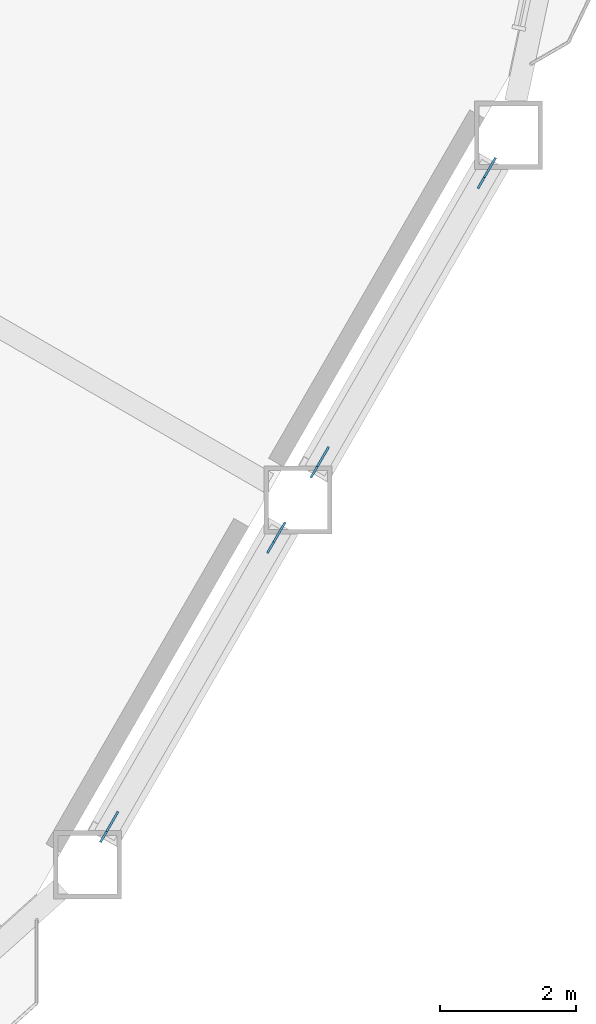
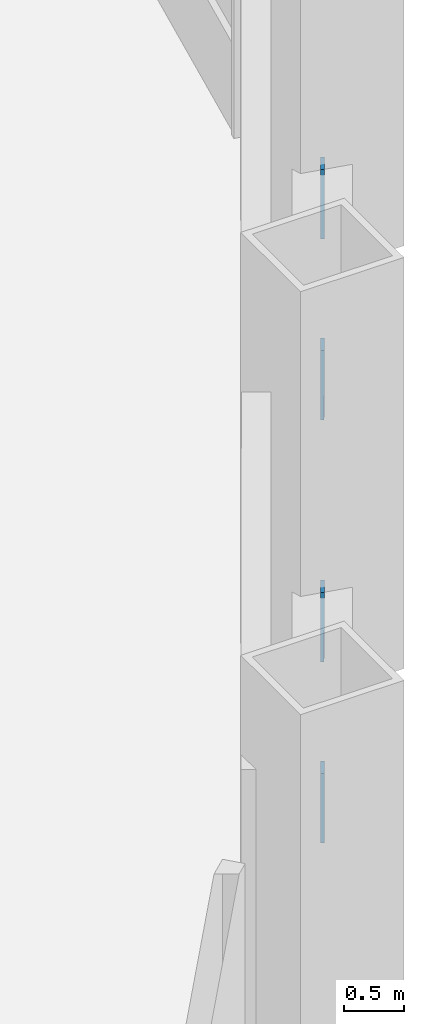
# One storey, part 14 of 20: 4 discrete accessories.
"""IFC4 building model written with IfcOpenShell, lengths in metres."""

import ifcopenshell
import ifcopenshell.guid

model = None  # the IFC model being written
_history = None  # IfcOwnerHistory: only IFC2X3 demands one
_inside = {}  # id of a spatial element -> (the spatial element, [elements in it])
_under = {}  # id of a project, library or spatial element -> (it, [spatial elements below it])
_declared = {}  # id of a project -> (the project, [libraries it declares])
_typed = {}  # id of a type object -> (the type object, [elements of that type])
_made_of = {}  # id of a material, layer set ... -> (it, [elements and type objects made of it])


def new_model(schema):
    """Start an empty IFC model of exactly this schema.

    Asked for "IFC4X3", IfcOpenShell would pick the latest addendum, in which some entities
    have other attributes; the version numbers below select the first issue.
    IFC2X3 requires an IfcOwnerHistory on every rooted entity: one is made here for all.
    """
    global model, _history
    if schema == "IFC4X3":
        model = ifcopenshell.file(schema_version=(4, 3, 0, 0))
    else:
        model = ifcopenshell.file(schema=schema)
    _inside.clear()
    _under.clear()
    _declared.clear()
    _typed.clear()
    _made_of.clear()
    _history = None
    if model.schema == "IFC2X3":
        org = make("IfcOrganization", Name="unknown")
        user = make(
            "IfcPersonAndOrganization",
            ThePerson=make("IfcPerson", FamilyName="unknown"),
            TheOrganization=org,
        )
        app = make(
            "IfcApplication",
            ApplicationDeveloper=org,
            Version="unknown",
            ApplicationFullName="unknown",
            ApplicationIdentifier="unknown",
        )
        _history = make(
            "IfcOwnerHistory",
            OwningUser=user,
            OwningApplication=app,
            ChangeAction="ADDED",
            CreationDate=0,
        )
    return model


def make(cls, **values):
    """One entity of the class cls with the attributes given. An attribute that is None is left unset."""
    return model.create_entity(
        cls, **{name: value for name, value in values.items() if value is not None}
    )


def rooted(cls, **values):
    """An entity with a GlobalId (a new one), such as an element, a storey or a relation."""
    return make(cls, GlobalId=ifcopenshell.guid.new(), OwnerHistory=_history, **values)


def si_unit(unit_type, name, prefix=None):
    """IfcSIUnit, for example si_unit("LENGTHUNIT", "METRE", prefix="MILLI")."""
    return make("IfcSIUnit", UnitType=unit_type, Prefix=prefix, Name=name)


def assignment(units):
    """IfcUnitAssignment: the units of a project."""
    return None if units is None else make("IfcUnitAssignment", Units=units)


def point(xyz):
    """IfcCartesianPoint."""
    return None if xyz is None else make("IfcCartesianPoint", Coordinates=xyz)


def direction(xyz):
    """IfcDirection."""
    return None if xyz is None else make("IfcDirection", DirectionRatios=xyz)


def frame(location, z_axis=None, x_axis=None):
    """IfcAxis2Placement3D, a coordinate frame: its origin and axes. An axis left out is left unset."""
    return make(
        "IfcAxis2Placement3D",
        Location=point(location),
        Axis=direction(z_axis),
        RefDirection=direction(x_axis),
    )


def frame_2d(location, x_axis=None):
    """IfcAxis2Placement2D, a coordinate frame in the plane: its origin and x axis."""
    return make(
        "IfcAxis2Placement2D", Location=point(location), RefDirection=direction(x_axis)
    )


def origin():
    """The frame at (0, 0, 0) with its axes left unset."""
    return frame((0.0, 0.0, 0.0))


def origin_2d():
    """The frame at (0, 0) in the plane with its x axis left unset."""
    return frame_2d((0.0, 0.0))


def place(relative_to, where):
    """IfcLocalPlacement: puts the frame where relative to a parent placement (None: the world)."""
    return make(
        "IfcLocalPlacement", PlacementRelTo=relative_to, RelativePlacement=where
    )


def context(
    kind, dimensions, precision=None, world=None, true_north=None, identifier=None
):
    """IfcGeometricRepresentationContext, for example the 3D "Model" context."""
    return make(
        "IfcGeometricRepresentationContext",
        ContextIdentifier=identifier,
        ContextType=kind,
        CoordinateSpaceDimension=dimensions,
        Precision=precision,
        WorldCoordinateSystem=world,
        TrueNorth=true_north,
    )


def subcontext(parent, identifier, kind, view, scale=None):
    """IfcGeometricRepresentationSubContext, for example "Body" below "Model"."""
    return make(
        "IfcGeometricRepresentationSubContext",
        ContextIdentifier=identifier,
        ContextType=kind,
        ParentContext=parent,
        TargetScale=scale,
        TargetView=view,
    )


def project(units=None, contexts=None):
    """IfcProject with its units and contexts."""
    return rooted(
        "IfcProject",
        Name="project",
        RepresentationContexts=contexts,
        UnitsInContext=assignment(units),
    )


def spatial(cls, under=None, at=None, **own):
    """A site, building, storey or space (cls), placed at a placement, below another one or the project."""
    s = rooted(cls, ObjectPlacement=at, **own)
    if under is not None:
        _under.setdefault(under.id(), (under, []))[1].append(s)
    return s


def profile(cls, at=None, kind="AREA", **sizes):
    """A parametric profile (cls). Its sizes go by their IFC names, for example OverallWidth=200.0."""
    return make(cls, ProfileType=kind, Position=at, **sizes)


def rectangle(**sizes):
    """IfcRectangleProfileDef."""
    return profile("IfcRectangleProfileDef", **sizes)


def extrude(swept, where, along, depth):
    """IfcExtrudedAreaSolid: the profile swept, set in the frame where, extruded along a direction by depth."""
    return make(
        "IfcExtrudedAreaSolid",
        SweptArea=swept,
        Position=where,
        ExtrudedDirection=direction(along),
        Depth=depth,
    )


def shape(context_of_items, identifier, shape_type, items):
    """IfcShapeRepresentation: the items that make up one representation, for example the "Body"."""
    return make(
        "IfcShapeRepresentation",
        ContextOfItems=context_of_items,
        RepresentationIdentifier=identifier,
        RepresentationType=shape_type,
        Items=items,
    )


def material(Name=None, Category=None):
    """IfcMaterial."""
    return make("IfcMaterial", Name=Name, Category=Category)


def material_profile(
    of_material, cross_section, Name=None, Category=None, Priority=None
):
    """IfcMaterialProfile: a cross section and its material."""
    return make(
        "IfcMaterialProfile",
        Name=Name,
        Material=of_material,
        Profile=cross_section,
        Priority=Priority,
        Category=Category,
    )


def profile_set(profiles, Name=None, composite=None):
    """IfcMaterialProfileSet."""
    return make(
        "IfcMaterialProfileSet",
        Name=Name,
        MaterialProfiles=profiles,
        CompositeProfile=composite,
    )


def made_of(thing, what):
    """Note that an element or type object is made of a material, layer set ...; save() writes the relation."""
    if what is not None:
        _made_of.setdefault(what.id(), (what, []))[1].append(thing)
    return thing


def type_object(cls, material=None, **own):
    """A type object (cls), such as IfcWallType, which elements share."""
    return made_of(rooted(cls, **own), material)


def element(
    cls,
    number,
    at=None,
    inside=None,
    cuts=None,
    type_object=None,
    material=None,
    context=None,
    identifier="Body",
    shape_type=None,
    held_by="IfcProductDefinitionShape",
    body=None,
    shapes=None,
    **own,
):
    """One element of the class cls, such as IfcWall. Its Tag is "e" and its number.

    at: its placement. inside: the storey or other place that contains it. cuts: it is an
    opening in that element (IfcRelVoidsElement). A single representation is given by context,
    identifier, shape_type and body (its items); several are given by shapes. held_by: the class
    of the entity that holds the representations. save() writes the other relations.
    """
    e = rooted(cls, Tag="e%d" % number, ObjectPlacement=at, **own)
    if body is not None:
        shapes = [shape(context, identifier, shape_type, body)]
    if shapes is not None:
        e.Representation = make(held_by, Representations=shapes)
    if inside is not None:
        _inside.setdefault(inside.id(), (inside, []))[1].append(e)
    if cuts is not None:
        rooted(
            "IfcRelVoidsElement", RelatingBuildingElement=cuts, RelatedOpeningElement=e
        )
    if type_object is not None:
        _typed.setdefault(type_object.id(), (type_object, []))[1].append(e)
    return made_of(e, material)


def aggregate(whole, parts):
    """IfcRelAggregates: a whole, such as a stair, and the parts it consists of."""
    return rooted("IfcRelAggregates", RelatingObject=whole, RelatedObjects=parts)


def save(model, path):
    """Write the relations noted so far, then the file.

    IfcRelAggregates (storeys below a building ...), IfcRelContainedInSpatialStructure (elements
    in a storey), IfcRelDefinesByType, IfcRelAssociatesMaterial and IfcRelDeclares: one each for
    every whole, place, type object, material and project.
    """
    for whole, parts in _under.values():
        aggregate(whole, parts)
    for where, things in _inside.values():
        rooted(
            "IfcRelContainedInSpatialStructure",
            RelatedElements=things,
            RelatingStructure=where,
        )
    for kind, things in _typed.values():
        rooted("IfcRelDefinesByType", RelatedObjects=things, RelatingType=kind)
    for what, things in _made_of.values():
        rooted("IfcRelAssociatesMaterial", RelatedObjects=things, RelatingMaterial=what)
    for by, libraries in _declared.values():
        rooted("IfcRelDeclares", RelatingContext=by, RelatedDefinitions=libraries)
    model.write(path)


model = new_model("IFC4")

# Units and contexts
model_context = context("Model", 3, precision=1e-05, world=origin(), true_north=direction((0.0, 1.0)))
body_context = subcontext(model_context, "Body", "Model", "MODEL_VIEW")
ifc_project = project(units=[si_unit("LENGTHUNIT", "METRE"), si_unit("AREAUNIT", "SQUARE_METRE"), si_unit("VOLUMEUNIT", "CUBIC_METRE"), si_unit("PLANEANGLEUNIT", "RADIAN"), si_unit("MASSUNIT", "GRAM", prefix="KILO")], contexts=[model_context])

# Site, building, storey
site_placement = place(None, origin())
site = spatial("IfcSite", under=ifc_project, at=site_placement, CompositionType="ELEMENT")
building_placement = place(site_placement, origin())
building = spatial("IfcBuilding", under=site, at=building_placement, Name="Cormorant Prow Tower", CompositionType="ELEMENT")
storey_placement = place(building_placement, frame((0.0, 0.0, 34.199951171875)))
storey = spatial("IfcBuildingStorey", under=building, at=storey_placement, Name="L06", CompositionType="ELEMENT", Elevation=34.199951171875)

# Discrete accessories
ifc_material = material(Name="Structural steel ASTM A500 Gr C", Category="steel")
ifc_material_profile = material_profile(ifc_material, rectangle(XDim=0.031982421875, YDim=0.60791015625, at=origin_2d()), Name="Gusset plate 32x608")
ifc_profile_set = profile_set([ifc_material_profile], Name="Structural steel ASTM A500 Gr C")
discrete_accessory_type = type_object("IfcDiscreteAccessoryType", Name="Gusset plate 32x608", PredefinedType="BRACKET", material=ifc_profile_set)
discrete_accessory_1_placement = place(storey_placement, frame((27.512939453125, -16.813232421875, 0.859375), z_axis=(0.476464602218, 0.823872174553, -0.306946449452), x_axis=(-0.865660382551, 0.500631703033, 0.0)))
element("IfcDiscreteAccessory", 1, at=discrete_accessory_1_placement, inside=storey, type_object=discrete_accessory_type, Name="Gusset plate GP1 L06.ESE00.g0", PredefinedType="BRACKET", context=body_context, shape_type="SweptSolid", body=[
    extrude(rectangle(XDim=0.031982421875, YDim=0.60791015625, at=origin_2d()), origin(), (0.0, 0.0, 1.0), 0.349853515625),
])
for number, where, z_axis, x_axis, name in (
    (2, (25.232421875, -20.763427734375, 2.32958984375), (-0.475651503409, -0.824369614413, 0.306871937683), (0.866161185697, -0.499764745047, 0.0), "Gusset plate GP1 L06.ESE00.g1"),
    (3, (30.597900390625, -11.47021484375, 0.859375), (0.475651503409, 0.824369614413, -0.306871937683), (-0.866161185697, 0.499764745047, 0.0), "Gusset plate GP1 L06.ESE01.g0"),
):
    element("IfcDiscreteAccessory", number, at=place(storey_placement, frame(where, z_axis=z_axis, x_axis=x_axis)), inside=storey, type_object=discrete_accessory_type, Name=name, PredefinedType="BRACKET", context=body_context, shape_type="SweptSolid", body=[
        extrude(rectangle(XDim=0.031982421875, YDim=0.60791015625, at=origin_2d()), origin(), (0.0, 0.0, 1.0), 0.35009765625),
    ])
discrete_accessory_2_placement = place(storey_placement, frame((28.3173828125, -15.42041015625, 2.32958984375), z_axis=(-0.476464602218, -0.823872174553, 0.306946449452), x_axis=(0.865660382551, -0.500631703033, 0.0)))
element("IfcDiscreteAccessory", 4, at=discrete_accessory_2_placement, inside=storey, type_object=discrete_accessory_type, Name="Gusset plate GP1 L06.ESE01.g1", PredefinedType="BRACKET", context=body_context, shape_type="SweptSolid", body=[
    extrude(rectangle(XDim=0.031982421875, YDim=0.60791015625, at=origin_2d()), origin(), (0.0, 0.0, 1.0), 0.349853515625),
])

save(model, "model.ifc")
